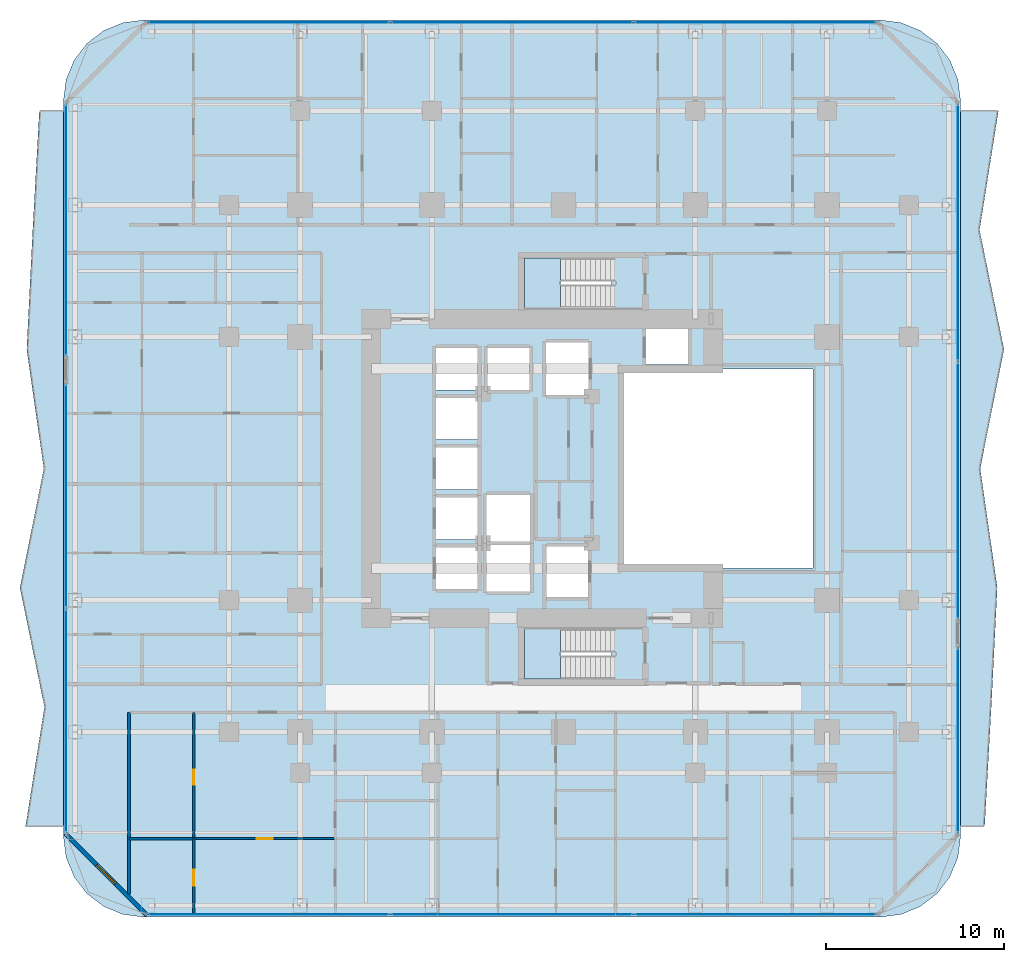
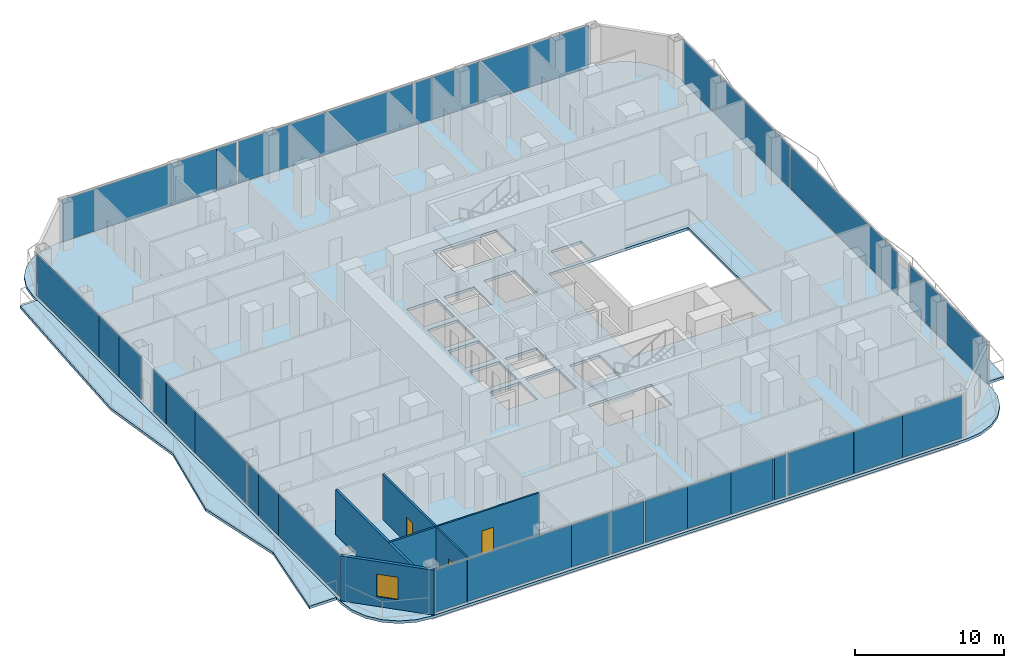
# One storey, part 18 of 29: 31 plates, 6 walls, 5 slabs, 3 doors, 1 window, 4 openings, 8 elements without a shape of their own.
"""IFC4 building model written with IfcOpenShell, lengths in metres."""

from ifc_helpers import new_model, si_unit, direction, frame, frame_2d, origin, origin_2d, place, context, subcontext, project, spatial, polyline, rectangle, outline, extrude, material, layer, layer_set, type_object, element, fill, aggregate, save


model = new_model("IFC4")

# Units and contexts
model_context = context("Model", 3, precision=1e-05, world=origin(), true_north=direction((0.0, 1.0)))
body_context = subcontext(model_context, "Body", "Model", "MODEL_VIEW")
ifc_project = project(units=[si_unit("LENGTHUNIT", "METRE"), si_unit("AREAUNIT", "SQUARE_METRE"), si_unit("VOLUMEUNIT", "CUBIC_METRE"), si_unit("PLANEANGLEUNIT", "RADIAN"), si_unit("MASSUNIT", "GRAM", prefix="KILO")], contexts=[model_context])

# Site, building, storey
site_placement = place(None, origin())
site = spatial("IfcSite", under=ifc_project, at=site_placement, CompositionType="ELEMENT")
building_placement = place(site_placement, origin())
building = spatial("IfcBuilding", under=site, at=building_placement, Name="Khorvyn Point Tower", CompositionType="ELEMENT")
storey_placement = place(building_placement, frame((0.0, 0.0, 69.60009765625)))
storey = spatial("IfcBuildingStorey", under=building, at=storey_placement, Name="L18", CompositionType="ELEMENT", Elevation=69.60009765625)

# Slabs
ifc_material_1 = material(Name="Concrete C35/45", Category="concrete")
ifc_layer_1 = layer(ifc_material_1, 0.219970703125)
ifc_layer_set_1 = layer_set([ifc_layer_1], Name="Concrete C35/45 Structural Floor Slab 220")
slab_type_1 = type_object("IfcSlabType", Name="Concrete C35/45 Structural Floor Slab 220", PredefinedType="FLOOR", material=ifc_layer_set_1)
slab_1_placement = place(storey_placement, frame((0.0, 0.0, -0.22021484375)))
element("IfcSlab", 1, at=slab_1_placement, inside=storey, type_object=slab_type_1, Name="L18 Main Structural Floor Slab", PredefinedType="FLOOR", context=body_context, shape_type="SweptSolid", body=[
    extrude(outline(polyline([(-23.60009765625, -25.199951171875), (-24.7646484375, -25.046630859375), (-25.85009765625, -24.59716796875), (-26.781982421875, -23.882080078125), (-27.4970703125, -22.949951171875), (-27.94677734375, -21.86474609375), (-28.10009765625, -20.699951171875), (-28.10009765625, 20.699951171875), (-27.94677734375, 21.86474609375), (-27.4970703125, 22.949951171875), (-26.781982421875, 23.882080078125), (-25.85009765625, 24.59716796875), (-24.7646484375, 25.046630859375), (-23.60009765625, 25.199951171875), (17.800048828125, 25.199951171875), (18.964599609375, 25.046630859375), (20.050048828125, 24.59716796875), (20.98193359375, 23.882080078125), (21.697021484375, 22.949951171875), (22.146728515625, 21.86474609375), (22.300048828125, 20.699951171875), (22.300048828125, -20.699951171875), (22.146728515625, -21.86474609375), (21.697021484375, -22.949951171875), (20.98193359375, -23.882080078125), (20.050048828125, -24.59716796875), (18.964599609375, -25.046630859375), (17.800048828125, -25.199951171875), (-23.60009765625, -25.199951171875)]), holes=[polyline([(-4.824951171875, -6.77490234375), (-4.824951171875, -4.425048828125), (-7.175048828125, -4.425048828125), (-7.175048828125, -6.77490234375), (-4.824951171875, -6.77490234375)]), polyline([(-4.324951171875, -6.89990234375), (-1.875, -6.89990234375), (-1.875, -4.300048828125), (-4.324951171875, -4.300048828125), (-4.324951171875, -6.89990234375)]), polyline([(-7.175048828125, -3.97509765625), (-4.824951171875, -3.97509765625), (-4.824951171875, -1.625), (-7.175048828125, -1.625), (-7.175048828125, -3.97509765625)]), polyline([(-7.175048828125, -1.175048828125), (-4.824951171875, -1.175048828125), (-4.824951171875, 1.175048828125), (-7.175048828125, 1.175048828125), (-7.175048828125, -1.175048828125)]), polyline([(-7.175048828125, 1.625), (-4.824951171875, 1.625), (-4.824951171875, 3.97509765625), (-7.175048828125, 3.97509765625), (-7.175048828125, 1.625)]), polyline([(-7.175048828125, 4.425048828125), (-4.824951171875, 4.425048828125), (-4.824951171875, 6.77490234375), (-7.175048828125, 6.77490234375), (-7.175048828125, 4.425048828125)]), polyline([(-4.27490234375, 4.425048828125), (-1.925048828125, 4.425048828125), (-1.925048828125, 6.77490234375), (-4.27490234375, 6.77490234375), (-4.27490234375, 4.425048828125)]), polyline([(2.679931640625, -11.820068359375), (2.679931640625, -9.02001953125), (-2.199951171875, -9.02001953125), (-2.199951171875, -11.820068359375), (2.679931640625, -11.820068359375)]), polyline([(-0.97509765625, -7.22509765625), (1.375, -7.22509765625), (1.375, -4.375), (-0.97509765625, -4.375), (-0.97509765625, -7.22509765625)]), polyline([(-4.324951171875, -4.10009765625), (-1.875, -4.10009765625), (-1.875, -1.5), (-4.324951171875, -1.5), (-4.324951171875, -4.10009765625)]), polyline([(3.199951171875, -5.60009765625), (14.0, -5.60009765625), (14.0, 5.60009765625), (3.199951171875, 5.60009765625), (3.199951171875, -5.60009765625)]), polyline([(-1.0, 4.125), (1.39990234375, 4.125), (1.39990234375, 7.074951171875), (-1.0, 7.074951171875), (-1.0, 4.125)]), polyline([(4.625, 5.85009765625), (6.97509765625, 5.85009765625), (6.97509765625, 7.830078125), (4.625, 7.830078125), (4.625, 5.85009765625)]), polyline([(-2.199951171875, 9.02001953125), (2.679931640625, 9.02001953125), (2.679931640625, 11.820068359375), (-2.199951171875, 11.820068359375), (-2.199951171875, 9.02001953125)])]), origin(), (0.0, 0.0, 1.0), 0.22021484375),
])
ifc_material_2 = material(Name="Concrete C40/50", Category="concrete")
ifc_layer_2 = layer(ifc_material_2, 0.2099609375)
ifc_layer_set_2 = layer_set([ifc_layer_2], Name="Concrete C40/50 Rippling Balcony Slab 210")
slab_type_2 = type_object("IfcSlabType", Name="Concrete C40/50 Rippling Balcony Slab 210", PredefinedType="USERDEFINED", material=ifc_layer_set_2)
slab_2_placement = place(storey_placement, frame((0.0, 0.0, -0.210205078125)))
element("IfcSlab", 2, at=slab_2_placement, inside=storey, type_object=slab_type_2, Name="L18 East Sinusoidal Rippling Balcony", ObjectType="BALCONY", PredefinedType="USERDEFINED", context=body_context, shape_type="SweptSolid", body=[
    extrude(outline(polyline([(22.300048828125, -20.10009765625), (23.655029296875, -20.10009765625), (24.027099609375, -13.39990234375), (24.36328125, -6.699951171875), (23.404296875, 0.0), (24.741455078125, 6.699951171875), (23.3671875, 13.39990234375), (24.427978515625, 20.10009765625), (22.300048828125, 20.10009765625), (22.300048828125, -20.10009765625)])), origin(), (0.0, 0.0, 1.0), 0.210205078125),
])
slab_3_placement = place(storey_placement, frame((0.0, 0.0, -0.210205078125)))
element("IfcSlab", 3, at=slab_3_placement, inside=storey, type_object=slab_type_2, Name="L18 West Sinusoidal Rippling Balcony", ObjectType="BALCONY", PredefinedType="USERDEFINED", context=body_context, shape_type="SweptSolid", body=[
    extrude(outline(polyline([(-28.10009765625, 20.10009765625), (-29.455078125, 20.10009765625), (-29.826904296875, 13.39990234375), (-30.163330078125, 6.699951171875), (-29.204345703125, 0.0), (-30.54150390625, -6.699951171875), (-29.167236328125, -13.39990234375), (-30.22802734375, -20.10009765625), (-28.10009765625, -20.10009765625), (-28.10009765625, 20.10009765625)])), origin(), (0.0, 0.0, 1.0), 0.210205078125),
])

# Stair, slab
stair_type = type_object("IfcStairType", Name="Tower Concrete C40/50 Dogleg Exit Stair", PredefinedType="HALF_TURN_STAIR", material=ifc_material_2)
stair_1_placement = place(storey_placement, origin())
stair_1 = element("IfcStair", 4, at=stair_1_placement, inside=storey, type_object=stair_type, Name="L18 Tower Smokeproof Exit Stair South", PredefinedType="HALF_TURN_STAIR")
ifc_layer_3 = layer(ifc_material_2, 0.199951171875)
ifc_layer_set_3 = layer_set([ifc_layer_3], Name="Concrete C40/50 Stair Landing Slab 200")
slab_type_3 = type_object("IfcSlabType", Name="Concrete C40/50 Stair Landing Slab 200", PredefinedType="LANDING", material=ifc_layer_set_3)
slab_4_placement = place(storey_placement, frame((0.0, 0.0, 1.75)))
slab_4 = element("IfcSlab", 5, at=slab_4_placement, type_object=slab_type_3, Name="ST-01 landing 1", PredefinedType="LANDING", context=body_context, shape_type="SweptSolid", body=[
    extrude(outline(polyline([(-0.179931640625, -9.02001953125), (-2.199951171875, -9.02001953125), (-2.199951171875, -11.820068359375), (-0.179931640625, -11.820068359375), (-0.179931640625, -9.02001953125)])), origin(), (0.0, 0.0, 1.0), 0.199951171875),
])
aggregate(stair_1, [slab_4])

stair_2_placement = place(storey_placement, origin())
stair_2 = element("IfcStair", 6, at=stair_2_placement, inside=storey, type_object=stair_type, Name="L18 Tower Smokeproof Exit Stair North", PredefinedType="HALF_TURN_STAIR")
slab_5_placement = place(storey_placement, frame((0.0, 0.0, 1.75)))
slab_5 = element("IfcSlab", 7, at=slab_5_placement, type_object=slab_type_3, Name="ST-02 landing 1", PredefinedType="LANDING", context=body_context, shape_type="SweptSolid", body=[
    extrude(outline(polyline([(-0.179931640625, 11.820068359375), (-2.199951171875, 11.820068359375), (-2.199951171875, 9.02001953125), (-0.179931640625, 9.02001953125), (-0.179931640625, 11.820068359375)])), origin(), (0.0, 0.0, 1.0), 0.199951171875),
])
aggregate(stair_2, [slab_5])

# Curtain wall, plates
ifc_material_3 = material(Name="Anodised aluminium 6063-T6 and laminated Low-E glass", Category="aluminium")
ifc_layer_4 = layer(ifc_material_3, 0.18994140625)
ifc_layer_set_4 = layer_set([ifc_layer_4], Name="Stick-Built Finned Residential Curtain Wall CW-SYS-02")
curtain_wall_type = type_object("IfcCurtainWallType", Name="Stick-Built Finned Residential Curtain Wall CW-SYS-02", PredefinedType="NOTDEFINED", material=ifc_layer_set_4)
curtain_wall_1_placement = place(storey_placement, origin())
curtain_wall_1 = element("IfcCurtainWall", 8, at=curtain_wall_1_placement, inside=storey, type_object=curtain_wall_type, Name="Curtain Wall", PredefinedType="NOTDEFINED")
ifc_material_4 = material(Name="Laminated Low-E insulated glass", Category="glass")
ifc_layer_5 = layer(ifc_material_4, 0.028076171875)
ifc_layer_set_5 = layer_set([ifc_layer_5], Name="Tempered Low-E Vision Glazing Panel CW-GL28")
plate_type = type_object("IfcPlateType", Name="Tempered Low-E Vision Glazing Panel CW-GL28", PredefinedType="CURTAIN_PANEL", material=ifc_layer_set_5)
plate_1_placement = place(storey_placement, frame((6.569580078125, -25.050048828125, 0.099853515625), z_axis=(0.0, 0.0, 1.0), x_axis=(-1.0, 0.0, 0.0)))
plate_1 = element("IfcPlate", 9, at=plate_1_placement, type_object=plate_type, Name="Panel", PredefinedType="CURTAIN_PANEL", context=body_context, shape_type="SweptSolid", body=[
    extrude(rectangle(XDim=5.131103515625, YDim=0.028076171875, at=origin_2d()), origin(), (0.0, 0.0, 1.0), 3.47998046875),
])
plate_2_placement = place(storey_placement, frame((11.021484375, -25.050048828125, 0.099853515625), z_axis=(0.0, 0.0, 1.0), x_axis=(-1.0, 0.0, 0.0)))
plate_2 = element("IfcPlate", 10, at=plate_2_placement, type_object=plate_type, Name="Panel", PredefinedType="CURTAIN_PANEL", context=body_context, shape_type="SweptSolid", body=[
    extrude(rectangle(XDim=3.757080078125, YDim=0.028076171875, at=origin_2d()), origin(), (0.0, 0.0, 1.0), 3.47998046875),
])
plate_3_placement = place(storey_placement, frame((15.22705078125, -25.050048828125, 0.099853515625), z_axis=(0.0, 0.0, 1.0), x_axis=(-1.0, 0.0, 0.0)))
plate_3 = element("IfcPlate", 11, at=plate_3_placement, type_object=plate_type, Name="Panel", PredefinedType="CURTAIN_PANEL", context=body_context, shape_type="SweptSolid", body=[
    extrude(rectangle(XDim=4.637939453125, YDim=0.028076171875, at=origin_2d()), origin(), (0.0, 0.0, 1.0), 3.47998046875),
])
plate_4_placement = place(storey_placement, frame((-8.410400390625, -25.050048828125, 0.099853515625), z_axis=(0.0, 0.0, 1.0), x_axis=(-1.0, 0.0, 0.0)))
plate_4 = element("IfcPlate", 12, at=plate_4_placement, type_object=plate_type, Name="Panel", PredefinedType="CURTAIN_PANEL", context=body_context, shape_type="SweptSolid", body=[
    extrude(rectangle(XDim=2.571044921875, YDim=0.028076171875, at=origin_2d()), origin(), (0.0, 0.0, 1.0), 3.47998046875),
])
plate_5_placement = place(storey_placement, frame((-5.37451171875, -25.050048828125, 0.099853515625), z_axis=(0.0, 0.0, 1.0), x_axis=(-1.0, 0.0, 0.0)))
plate_5 = element("IfcPlate", 13, at=plate_5_placement, type_object=plate_type, Name="Panel", PredefinedType="CURTAIN_PANEL", context=body_context, shape_type="SweptSolid", body=[
    extrude(rectangle(XDim=3.2451171875, YDim=0.028076171875, at=origin_2d()), origin(), (0.0, 0.0, 1.0), 3.47998046875),
])
plate_6_placement = place(storey_placement, frame((-2.06298828125, -25.050048828125, 0.099853515625), z_axis=(0.0, 0.0, 1.0), x_axis=(-1.0, 0.0, 0.0)))
plate_6 = element("IfcPlate", 14, at=plate_6_placement, type_object=plate_type, Name="Panel", PredefinedType="CURTAIN_PANEL", context=body_context, shape_type="SweptSolid", body=[
    extrude(rectangle(XDim=3.362060546875, YDim=0.028076171875, at=origin_2d()), origin(), (0.0, 0.0, 1.0), 3.47998046875),
])
plate_7_placement = place(storey_placement, frame((1.239990234375, -25.050048828125, 0.099853515625), z_axis=(0.0, 0.0, 1.0), x_axis=(-1.0, 0.0, 0.0)))
plate_7 = element("IfcPlate", 15, at=plate_7_placement, type_object=plate_type, Name="Panel", PredefinedType="CURTAIN_PANEL", context=body_context, shape_type="SweptSolid", body=[
    extrude(rectangle(XDim=3.22802734375, YDim=0.028076171875, at=origin_2d()), origin(), (0.0, 0.0, 1.0), 3.47998046875),
])
plate_8_placement = place(storey_placement, frame((3.43896484375, -25.050048828125, 0.099853515625), z_axis=(0.0, 0.0, 1.0), x_axis=(-1.0, 0.0, 0.0)))
plate_8 = element("IfcPlate", 16, at=plate_8_placement, type_object=plate_type, Name="Panel", PredefinedType="CURTAIN_PANEL", context=body_context, shape_type="SweptSolid", body=[
    extrude(rectangle(XDim=0.9140625, YDim=0.028076171875, at=origin_2d()), origin(), (0.0, 0.0, 1.0), 3.47998046875),
])
plate_9_placement = place(storey_placement, frame((-22.096435546875, -25.050048828125, 0.099853515625), z_axis=(0.0, 0.0, 1.0), x_axis=(-1.0, 0.0, 0.0)))
plate_9 = element("IfcPlate", 17, at=plate_9_placement, type_object=plate_type, Name="Panel", PredefinedType="CURTAIN_PANEL", context=body_context, shape_type="SweptSolid", body=[
    extrude(rectangle(XDim=2.4990234375, YDim=0.028076171875, at=origin_2d()), origin(), (0.0, 0.0, 1.0), 3.47998046875),
])
plate_10_placement = place(storey_placement, frame((-16.803466796875, -25.050048828125, 0.099853515625), z_axis=(0.0, 0.0, 1.0), x_axis=(-1.0, 0.0, 0.0)))
plate_10 = element("IfcPlate", 18, at=plate_10_placement, type_object=plate_type, Name="Panel", PredefinedType="CURTAIN_PANEL", context=body_context, shape_type="SweptSolid", body=[
    extrude(rectangle(XDim=8.071044921875, YDim=0.028076171875, at=origin_2d()), origin(), (0.0, 0.0, 1.0), 3.47998046875),
])
plate_11_placement = place(storey_placement, frame((-11.281982421875, -25.050048828125, 0.099853515625), z_axis=(0.0, 0.0, 1.0), x_axis=(-1.0, 0.0, 0.0)))
plate_11 = element("IfcPlate", 19, at=plate_11_placement, type_object=plate_type, Name="Panel", PredefinedType="CURTAIN_PANEL", context=body_context, shape_type="SweptSolid", body=[
    extrude(rectangle(XDim=2.9560546875, YDim=0.028076171875, at=origin_2d()), origin(), (0.0, 0.0, 1.0), 3.47998046875),
])
aggregate(curtain_wall_1, [plate_1, plate_2, plate_3, plate_4, plate_5, plate_6, plate_7, plate_8, plate_9, plate_10, plate_11])

curtain_wall_2_placement = place(storey_placement, origin())
curtain_wall_2 = element("IfcCurtainWall", 20, at=curtain_wall_2_placement, inside=storey, type_object=curtain_wall_type, Name="Curtain Wall", PredefinedType="NOTDEFINED")
plate_12_placement = place(storey_placement, frame((-19.12060546875, 25.050048828125, 0.099853515625), z_axis=(0.0, 0.0, 1.0), x_axis=(1.0, 0.0, 0.0)))
plate_12 = element("IfcPlate", 21, at=plate_12_placement, type_object=plate_type, Name="Panel", PredefinedType="CURTAIN_PANEL", context=body_context, shape_type="SweptSolid", body=[
    extrude(rectangle(XDim=8.450927734375, YDim=0.028076171875, at=origin_2d()), origin(), (0.0, 0.0, 1.0), 3.47998046875),
])
plate_13_placement = place(storey_placement, frame((-13.12939453125, 25.050048828125, 0.099853515625), z_axis=(0.0, 0.0, 1.0), x_axis=(1.0, 0.0, 0.0)))
plate_13 = element("IfcPlate", 22, at=plate_13_placement, type_object=plate_type, Name="Panel", PredefinedType="CURTAIN_PANEL", context=body_context, shape_type="SweptSolid", body=[
    extrude(rectangle(XDim=3.514892578125, YDim=0.028076171875, at=origin_2d()), origin(), (0.0, 0.0, 1.0), 3.47998046875),
])
plate_14_placement = place(storey_placement, frame((-10.583984375, 25.050048828125, 0.099853515625), z_axis=(0.0, 0.0, 1.0), x_axis=(1.0, 0.0, 0.0)))
plate_14 = element("IfcPlate", 23, at=plate_14_placement, type_object=plate_type, Name="Panel", PredefinedType="CURTAIN_PANEL", context=body_context, shape_type="SweptSolid", body=[
    extrude(rectangle(XDim=1.56005859375, YDim=0.028076171875, at=origin_2d()), origin(), (0.0, 0.0, 1.0), 3.47998046875),
])
plate_15_placement = place(storey_placement, frame((-2.89990234375, 25.050048828125, 0.099853515625), z_axis=(0.0, 0.0, 1.0), x_axis=(1.0, 0.0, 0.0)))
plate_15 = element("IfcPlate", 24, at=plate_15_placement, type_object=plate_type, Name="Panel", PredefinedType="CURTAIN_PANEL", context=body_context, shape_type="SweptSolid", body=[
    extrude(rectangle(XDim=13.60009765625, YDim=0.028076171875, at=origin_2d()), origin(), (0.0, 0.0, 1.0), 3.47998046875),
])
plate_16_placement = place(storey_placement, frame((4.680908203125, 25.050048828125, 0.099853515625), z_axis=(0.0, 0.0, 1.0), x_axis=(1.0, 0.0, 0.0)))
plate_16 = element("IfcPlate", 25, at=plate_16_placement, type_object=plate_type, Name="Panel", PredefinedType="CURTAIN_PANEL", context=body_context, shape_type="SweptSolid", body=[
    extrude(rectangle(XDim=1.35400390625, YDim=0.028076171875, at=origin_2d()), origin(), (0.0, 0.0, 1.0), 3.47998046875),
])
plate_17_placement = place(storey_placement, frame((7.162109375, 25.050048828125, 0.099853515625), z_axis=(0.0, 0.0, 1.0), x_axis=(1.0, 0.0, 0.0)))
plate_17 = element("IfcPlate", 26, at=plate_17_placement, type_object=plate_type, Name="Panel", PredefinedType="CURTAIN_PANEL", context=body_context, shape_type="SweptSolid", body=[
    extrude(rectangle(XDim=3.592041015625, YDim=0.028076171875, at=origin_2d()), origin(), (0.0, 0.0, 1.0), 3.47998046875),
])
plate_18_placement = place(storey_placement, frame((10.948486328125, 25.050048828125, 0.099853515625), z_axis=(0.0, 0.0, 1.0), x_axis=(1.0, 0.0, 0.0)))
plate_18 = element("IfcPlate", 27, at=plate_18_placement, type_object=plate_type, Name="Panel", PredefinedType="CURTAIN_PANEL", context=body_context, shape_type="SweptSolid", body=[
    extrude(rectangle(XDim=3.965087890625, YDim=0.028076171875, at=origin_2d()), origin(), (0.0, 0.0, 1.0), 3.47998046875),
])
plate_19_placement = place(storey_placement, frame((15.242431640625, 25.050048828125, 0.099853515625), z_axis=(0.0, 0.0, 1.0), x_axis=(1.0, 0.0, 0.0)))
plate_19 = element("IfcPlate", 28, at=plate_19_placement, type_object=plate_type, Name="Panel", PredefinedType="CURTAIN_PANEL", context=body_context, shape_type="SweptSolid", body=[
    extrude(rectangle(XDim=4.60693359375, YDim=0.028076171875, at=origin_2d()), origin(), (0.0, 0.0, 1.0), 3.47998046875),
])
aggregate(curtain_wall_2, [plate_12, plate_13, plate_14, plate_15, plate_16, plate_17, plate_18, plate_19])

curtain_wall_3_placement = place(storey_placement, origin())
curtain_wall_3 = element("IfcCurtainWall", 29, at=curtain_wall_3_placement, inside=storey, type_object=curtain_wall_type, Name="Curtain Wall", PredefinedType="NOTDEFINED")
plate_20_placement = place(storey_placement, frame((-27.949951171875, -16.2548828125, 0.099853515625), z_axis=(0.0, 0.0, 1.0), x_axis=(0.0, 1.0, 0.0)))
plate_20 = element("IfcPlate", 30, at=plate_20_placement, type_object=plate_type, Name="Panel", PredefinedType="CURTAIN_PANEL", context=body_context, shape_type="SweptSolid", body=[
    extrude(rectangle(XDim=8.382080078125, YDim=0.028076171875, at=origin_2d()), origin(), (0.0, 0.0, 1.0), 3.47998046875),
])
plate_21_placement = place(storey_placement, frame((-27.949951171875, -10.719970703125, 0.099853515625), z_axis=(0.0, 0.0, 1.0), x_axis=(0.0, 1.0, 0.0)))
plate_21 = element("IfcPlate", 31, at=plate_21_placement, type_object=plate_type, Name="Panel", PredefinedType="CURTAIN_PANEL", context=body_context, shape_type="SweptSolid", body=[
    extrude(rectangle(XDim=2.672119140625, YDim=0.028076171875, at=origin_2d()), origin(), (0.0, 0.0, 1.0), 3.47998046875),
])
plate_22_placement = place(storey_placement, frame((-27.949951171875, -8.647705078125, 0.099853515625), z_axis=(0.0, 0.0, 1.0), x_axis=(0.0, 1.0, 0.0)))
plate_22 = element("IfcPlate", 32, at=plate_22_placement, type_object=plate_type, Name="Panel", PredefinedType="CURTAIN_PANEL", context=body_context, shape_type="SweptSolid", body=[
    extrude(rectangle(XDim=1.45654296875, YDim=0.028076171875, at=origin_2d()), origin(), (0.0, 0.0, 1.0), 3.47998046875),
])
plate_23_placement = place(storey_placement, frame((-27.949951171875, -4.314208984375, 0.099853515625), z_axis=(0.0, 0.0, 1.0), x_axis=(0.0, 1.0, 0.0)))
plate_23 = element("IfcPlate", 33, at=plate_23_placement, type_object=plate_type, Name="Panel", PredefinedType="CURTAIN_PANEL", context=body_context, shape_type="SweptSolid", body=[
    extrude(rectangle(XDim=6.994384765625, YDim=0.028076171875, at=origin_2d()), origin(), (0.0, 0.0, 1.0), 3.47998046875),
])
plate_24_placement = place(storey_placement, frame((-27.949951171875, 1.112060546875, 0.099853515625), z_axis=(0.0, 0.0, 1.0), x_axis=(0.0, 1.0, 0.0)))
plate_24 = element("IfcPlate", 34, at=plate_24_placement, type_object=plate_type, Name="Panel", PredefinedType="CURTAIN_PANEL", context=body_context, shape_type="SweptSolid", body=[
    extrude(rectangle(XDim=3.842041015625, YDim=0.028076171875, at=origin_2d()), origin(), (0.0, 0.0, 1.0), 3.47998046875),
])
plate_25_placement = place(storey_placement, frame((-27.949951171875, 3.8779296875, 0.099853515625), z_axis=(0.0, 0.0, 1.0), x_axis=(0.0, 1.0, 0.0)))
plate_25 = element("IfcPlate", 35, at=plate_25_placement, type_object=plate_type, Name="Panel", PredefinedType="CURTAIN_PANEL", context=body_context, shape_type="SweptSolid", body=[
    extrude(rectangle(XDim=1.674072265625, YDim=0.028076171875, at=origin_2d()), origin(), (0.0, 0.0, 1.0), 3.47998046875),
])
aggregate(curtain_wall_3, [plate_20, plate_21, plate_22, plate_23, plate_24, plate_25])

curtain_wall_4_placement = place(storey_placement, origin())
curtain_wall_4 = element("IfcCurtainWall", 36, at=curtain_wall_4_placement, inside=storey, type_object=curtain_wall_type, Name="Curtain Wall", PredefinedType="NOTDEFINED")
plate_26_placement = place(storey_placement, frame((-27.949951171875, 7.869384765625, 0.099853515625), z_axis=(0.0, 0.0, 1.0), x_axis=(0.0, 1.0, 0.0)))
plate_26 = element("IfcPlate", 37, at=plate_26_placement, type_object=plate_type, Name="Panel", PredefinedType="CURTAIN_PANEL", context=body_context, shape_type="SweptSolid", body=[
    extrude(rectangle(XDim=3.012939453125, YDim=0.028076171875, at=origin_2d()), origin(), (0.0, 0.0, 1.0), 3.47998046875),
])
plate_27_placement = place(storey_placement, frame((-27.949951171875, 10.719970703125, 0.099853515625), z_axis=(0.0, 0.0, 1.0), x_axis=(0.0, 1.0, 0.0)))
plate_27 = element("IfcPlate", 38, at=plate_27_placement, type_object=plate_type, Name="Panel", PredefinedType="CURTAIN_PANEL", context=body_context, shape_type="SweptSolid", body=[
    extrude(rectangle(XDim=2.672119140625, YDim=0.028076171875, at=origin_2d()), origin(), (0.0, 0.0, 1.0), 3.47998046875),
])
plate_28_placement = place(storey_placement, frame((-27.949951171875, 16.2548828125, 0.099853515625), z_axis=(0.0, 0.0, 1.0), x_axis=(0.0, 1.0, 0.0)))
plate_28 = element("IfcPlate", 39, at=plate_28_placement, type_object=plate_type, Name="Panel", PredefinedType="CURTAIN_PANEL", context=body_context, shape_type="SweptSolid", body=[
    extrude(rectangle(XDim=8.382080078125, YDim=0.028076171875, at=origin_2d()), origin(), (0.0, 0.0, 1.0), 3.47998046875),
])
aggregate(curtain_wall_4, [plate_26, plate_27, plate_28])

curtain_wall_5_placement = place(storey_placement, origin())
curtain_wall_5 = element("IfcCurtainWall", 40, at=curtain_wall_5_placement, inside=storey, type_object=curtain_wall_type, Name="Curtain Wall", PredefinedType="NOTDEFINED")
plate_29_placement = place(storey_placement, frame((22.14990234375, 13.25048828125, 0.099853515625), z_axis=(0.0, 0.0, 1.0), x_axis=(0.0, -1.0, 0.0)))
plate_29 = element("IfcPlate", 41, at=plate_29_placement, type_object=plate_type, Name="Panel", PredefinedType="CURTAIN_PANEL", context=body_context, shape_type="SweptSolid", body=[
    extrude(rectangle(XDim=14.39892578125, YDim=0.028076171875, at=origin_2d()), origin(), (0.0, 0.0, 1.0), 3.47998046875),
])
plate_30_placement = place(storey_placement, frame((22.14990234375, -1.24853515625, 0.099853515625), z_axis=(0.0, 0.0, 1.0), x_axis=(0.0, -1.0, 0.0)))
plate_30 = element("IfcPlate", 42, at=plate_30_placement, type_object=plate_type, Name="Panel", PredefinedType="CURTAIN_PANEL", context=body_context, shape_type="SweptSolid", body=[
    extrude(rectangle(XDim=14.39892578125, YDim=0.028076171875, at=origin_2d()), origin(), (0.0, 0.0, 1.0), 3.47998046875),
])
aggregate(curtain_wall_5, [plate_29, plate_30])

# Curtain wall, plate
curtain_wall_6_placement = place(storey_placement, origin())
curtain_wall_6 = element("IfcCurtainWall", 43, at=curtain_wall_6_placement, inside=storey, type_object=curtain_wall_type, Name="Curtain Wall", PredefinedType="NOTDEFINED")
plate_31_placement = place(storey_placement, frame((22.14990234375, -15.26904296875, 0.099853515625), z_axis=(0.0, 0.0, 1.0), x_axis=(0.0, -1.0, 0.0)))
plate_31 = element("IfcPlate", 44, at=plate_31_placement, type_object=plate_type, Name="Panel", PredefinedType="CURTAIN_PANEL", context=body_context, shape_type="SweptSolid", body=[
    extrude(rectangle(XDim=10.362060546875, YDim=0.028076171875, at=origin_2d()), origin(), (0.0, 0.0, 1.0), 3.47998046875),
])
aggregate(curtain_wall_6, [plate_31])

# Wall
ifc_material_5 = material(Name="Double acoustic gypsum on twin steel stud", Category="steel")
ifc_layer_6 = layer(ifc_material_5, 0.179931640625)
ifc_layer_set_6 = layer_set([ifc_layer_6], Name="Acoustic Double-Stud Apartment Demising Wall 180")
wall_type_1 = type_object("IfcWallType", Name="Acoustic Double-Stud Apartment Demising Wall 180", PredefinedType="PARTITIONING", material=ifc_layer_set_6)
wall_1_placement = place(storey_placement, frame((-24.419921875, -23.909912109375, 0.0), z_axis=(0.0, 0.0, 1.0), x_axis=(0.0, 1.0, 0.0)))
element("IfcWall", 45, at=wall_1_placement, inside=storey, type_object=wall_type_1, Name="Wall", PredefinedType="PARTITIONING", context=body_context, shape_type="SweptSolid", body=[
    extrude(rectangle(XDim=10.2099609375, YDim=0.179931640625, at=frame_2d((5.10498046875, 0.0))), origin(), (0.0, 0.0, 1.0), 3.679931640625),
])

# Wall, opening, window
ifc_material_6 = material(Name="Pale anodised aluminium rainscreen on steel stud", Category="steel")
ifc_layer_7 = layer(ifc_material_6, 0.239990234375)
ifc_layer_set_7 = layer_set([ifc_layer_7], Name="Anodised Aluminium Insulated Corner Spandrel Wall 240")
wall_type_2 = type_object("IfcWallType", Name="Anodised Aluminium Insulated Corner Spandrel Wall 240", PredefinedType="SOLIDWALL", material=ifc_layer_set_7)
wall_2_placement = place(storey_placement, frame((-23.40771484375, -25.09228515625, 0.0), z_axis=(0.0, 0.0, 1.0), x_axis=(-0.707106781187, 0.707106781187, 0.0)))
wall_2 = element("IfcWall", 46, at=wall_2_placement, inside=storey, type_object=wall_type_2, Name="L18 Rounded Corner Wall SW", PredefinedType="SOLIDWALL", context=body_context, shape_type="SweptSolid", body=[
    extrude(rectangle(XDim=6.48388671875, YDim=0.239990234375, at=frame_2d((3.241943359375, 0.0))), origin(), (0.0, 0.0, 1.0), 3.679931640625),
])
opening_1_placement = place(wall_2_placement, frame((2.491943359375, 0.0, 0.800048828125)))
opening_1 = element("IfcOpeningElement", 47, at=opening_1_placement, cuts=wall_2, Name="Opening WN-1518", PredefinedType="OPENING", context=body_context, shape_type="SweptSolid", body=[
    extrude(rectangle(XDim=1.5, YDim=1.85009765625, at=frame_2d((0.75, 0.925048828125))), frame((0.0, 0.1298828125, 0.0), z_axis=(0.0, -1.0, 0.0), x_axis=(1.0, 0.0, 0.0)), (0.0, 0.0, 1.0), 0.260009765625),
])
window_type = type_object("IfcWindowType", Name="Anodised Aluminium Rounded-Corner Panoramic Window 1500x1850", PartitioningType="SINGLE_PANEL", PredefinedType="WINDOW", material=ifc_material_3)
window_placement = place(opening_1_placement, origin())
window = element("IfcWindow", 48, at=window_placement, inside=storey, type_object=window_type, Name="L18 Corner Panoramic Window SW", OverallHeight=1.85009765625, OverallWidth=1.5, PartitioningType="SINGLE_PANEL", PredefinedType="WINDOW", context=body_context, shape_type="SweptSolid", body=[
    extrude(rectangle(XDim=1.5, YDim=1.85009765625, at=frame_2d((0.75, 0.925048828125))), frame((0.0, 0.030029296875, 0.0), z_axis=(0.0, -1.0, 0.0), x_axis=(1.0, 0.0, 0.0)), (0.0, 0.0, 1.0), 0.06005859375),
])
fill(opening_1, window)

# Wall, opening, door
ifc_material_7 = material(Name="Gypsum plasterboard on steel stud", Category="steel")
ifc_layer_8 = layer(ifc_material_7, 0.1201171875)
ifc_layer_set_8 = layer_set([ifc_layer_8], Name="Gypsum Acoustic Stud Room Partition Wall 120")
wall_type_3 = type_object("IfcWallType", Name="Gypsum Acoustic Stud Room Partition Wall 120", PredefinedType="PARTITIONING", material=ifc_layer_set_8)
wall_3_placement = place(storey_placement, frame((-20.782958984375, -20.7900390625, 0.0), z_axis=(0.0, 0.0, 1.0), x_axis=(1.0, 0.0, 0.0)))
wall_3 = element("IfcWall", 49, at=wall_3_placement, inside=storey, type_object=wall_type_3, Name="Wall", PredefinedType="PARTITIONING", context=body_context, shape_type="SweptSolid", body=[
    extrude(rectangle(XDim=7.958984375, YDim=0.1201171875, at=frame_2d((3.9794921875, 0.0))), origin(), (0.0, 0.0, 1.0), 3.679931640625),
])
opening_2_placement = place(wall_3_placement, frame((3.529541015625, 0.0, 0.0)))
opening_2 = element("IfcOpeningElement", 50, at=opening_2_placement, cuts=wall_3, Name="Opening ID-RM90", PredefinedType="OPENING", context=body_context, shape_type="SweptSolid", body=[
    extrude(rectangle(XDim=0.89990234375, YDim=2.10009765625, at=frame_2d((0.449951171875, 1.050048828125))), frame((0.0, 0.070068359375, 0.0), z_axis=(0.0, -1.0, 0.0), x_axis=(1.0, 0.0, 0.0)), (0.0, 0.0, 1.0), 0.14013671875),
])
ifc_material_8 = material(Name="Engineered oak veneer timber", Category="wood")
door_type_1 = type_object("IfcDoorType", Name="Flush Engineered Timber Room Door 900x2100", OperationType="NOTDEFINED", PredefinedType="DOOR", material=ifc_material_8)
door_1_placement = place(opening_2_placement, origin())
door_1 = element("IfcDoor", 51, at=door_1_placement, inside=storey, type_object=door_type_1, Name="Door", OperationType="SINGLE_SWING_RIGHT", OverallHeight=2.10009765625, OverallWidth=0.89990234375, PredefinedType="DOOR", context=body_context, shape_type="SweptSolid", body=[
    extrude(rectangle(XDim=0.89990234375, YDim=2.10009765625, at=frame_2d((0.449951171875, 1.050048828125))), frame((0.0, 0.02490234375, 0.0), z_axis=(0.0, -1.0, 0.0), x_axis=(1.0, 0.0, 0.0)), (0.0, 0.0, 1.0), 0.050048828125),
])
fill(opening_2, door_1)

wall_4_placement = place(storey_placement, frame((-20.782958984375, -25.030029296875, 0.0), z_axis=(0.0, 0.0, 1.0), x_axis=(0.0, 1.0, 0.0)))
wall_4 = element("IfcWall", 52, at=wall_4_placement, inside=storey, type_object=wall_type_3, Name="Wall", PredefinedType="PARTITIONING", context=body_context, shape_type="SweptSolid", body=[
    extrude(rectangle(XDim=4.239990234375, YDim=0.1201171875, at=frame_2d((2.1201171875, 0.0))), origin(), (0.0, 0.0, 1.0), 3.679931640625),
])
opening_3_placement = place(wall_4_placement, frame((1.581298828125, 0.0, 0.0)))
opening_3 = element("IfcOpeningElement", 53, at=opening_3_placement, cuts=wall_4, Name="Opening ID-RM90", PredefinedType="OPENING", context=body_context, shape_type="SweptSolid", body=[
    extrude(rectangle(XDim=0.89990234375, YDim=2.10009765625, at=frame_2d((0.449951171875, 1.050048828125))), frame((0.0, 0.070068359375, 0.0), z_axis=(0.0, -1.0, 0.0), x_axis=(1.0, 0.0, 0.0)), (0.0, 0.0, 1.0), 0.14013671875),
])
door_2_placement = place(opening_3_placement, origin())
door_2 = element("IfcDoor", 54, at=door_2_placement, inside=storey, type_object=door_type_1, Name="Door", OperationType="SINGLE_SWING_RIGHT", OverallHeight=2.10009765625, OverallWidth=0.89990234375, PredefinedType="DOOR", context=body_context, shape_type="SweptSolid", body=[
    extrude(rectangle(XDim=0.89990234375, YDim=2.10009765625, at=frame_2d((0.449951171875, 1.050048828125))), frame((0.0, 0.02490234375, 0.0), z_axis=(0.0, -1.0, 0.0), x_axis=(1.0, 0.0, 0.0)), (0.0, 0.0, 1.0), 0.050048828125),
])
fill(opening_3, door_2)

ifc_material_9 = material(Name="Moisture-resistant gypsum and cement board", Category="gypsum")
ifc_layer_9 = layer(ifc_material_9, 0.14990234375)
ifc_layer_set_9 = layer_set([ifc_layer_9], Name="Moisture-Resistant Wet-Room Partition Wall 150")
wall_type_4 = type_object("IfcWallType", Name="Moisture-Resistant Wet-Room Partition Wall 150", PredefinedType="PARTITIONING", material=ifc_layer_set_9)
wall_5_placement = place(storey_placement, frame((-20.782958984375, -20.7900390625, 0.0), z_axis=(0.0, 0.0, 1.0), x_axis=(0.0, 1.0, 0.0)))
wall_5 = element("IfcWall", 55, at=wall_5_placement, inside=storey, type_object=wall_type_4, Name="Wall", PredefinedType="PARTITIONING", context=body_context, shape_type="SweptSolid", body=[
    extrude(rectangle(XDim=7.090087890625, YDim=0.14990234375, at=frame_2d((3.544921875, 0.0))), origin(), (0.0, 0.0, 1.0), 3.679931640625),
])
opening_4_placement = place(wall_5_placement, frame((3.0302734375, 0.0, 0.0)))
opening_4 = element("IfcOpeningElement", 56, at=opening_4_placement, cuts=wall_5, Name="Opening ID-WC85", PredefinedType="OPENING", context=body_context, shape_type="SweptSolid", body=[
    extrude(rectangle(XDim=0.85009765625, YDim=2.10009765625, at=frame_2d((0.425048828125, 1.050048828125))), frame((0.0, 0.0849609375, 0.0), z_axis=(0.0, -1.0, 0.0), x_axis=(1.0, 0.0, 0.0)), (0.0, 0.0, 1.0), 0.169921875),
])
ifc_material_10 = material(Name="High-pressure laminate on moisture-resistant core", Category="wood")
door_type_2 = type_object("IfcDoorType", Name="Moisture-Resistant Accessible Washroom Door 850x2100", OperationType="NOTDEFINED", PredefinedType="DOOR", material=ifc_material_10)
door_3_placement = place(opening_4_placement, origin())
door_3 = element("IfcDoor", 57, at=door_3_placement, inside=storey, type_object=door_type_2, Name="Door", OperationType="SINGLE_SWING_LEFT", OverallHeight=2.10009765625, OverallWidth=0.85009765625, PredefinedType="DOOR", context=body_context, shape_type="SweptSolid", body=[
    extrude(rectangle(XDim=0.85009765625, YDim=2.10009765625, at=frame_2d((0.425048828125, 1.050048828125))), frame((0.0, 0.02490234375, 0.0), z_axis=(0.0, -1.0, 0.0), x_axis=(1.0, 0.0, 0.0)), (0.0, 0.0, 1.0), 0.050048828125),
])
fill(opening_4, door_3)

# Wall
wall_6_placement = place(storey_placement, frame((-24.419921875, -20.7900390625, 0.0), z_axis=(0.0, 0.0, 1.0), x_axis=(1.0, 0.0, 0.0)))
element("IfcWall", 58, at=wall_6_placement, inside=storey, type_object=wall_type_4, Name="Wall", PredefinedType="PARTITIONING", context=body_context, shape_type="SweptSolid", body=[
    extrude(rectangle(XDim=3.636962890625, YDim=0.14990234375, at=frame_2d((1.818359375, 0.0))), origin(), (0.0, 0.0, 1.0), 3.679931640625),
])

save(model, "model.ifc")
